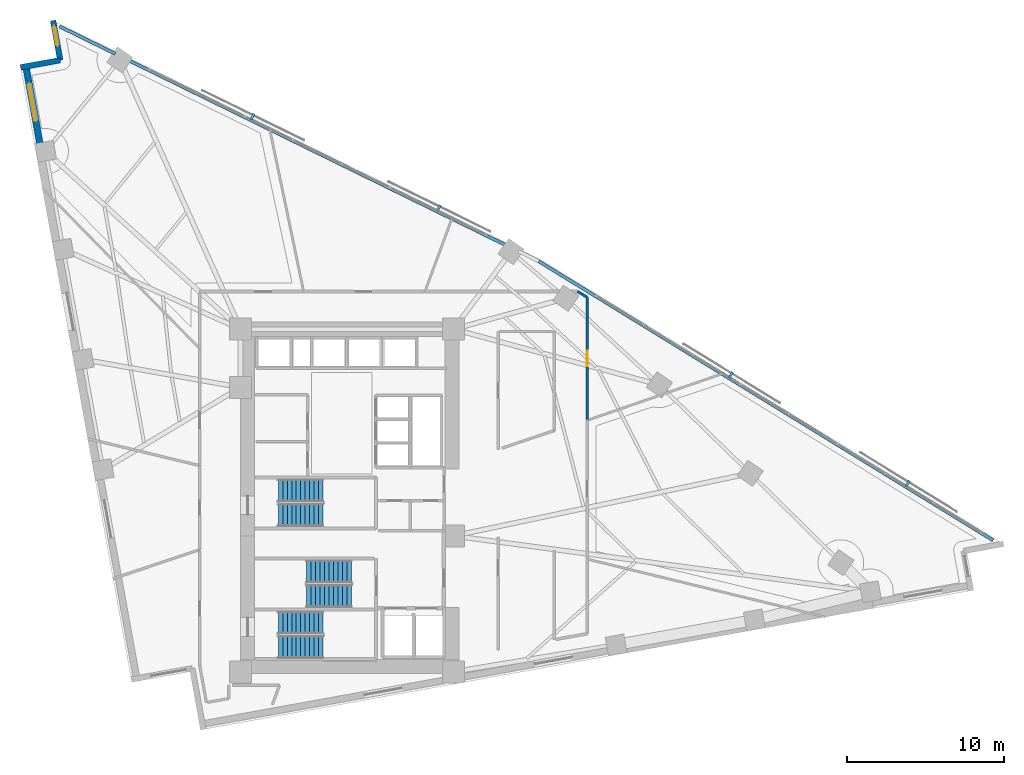
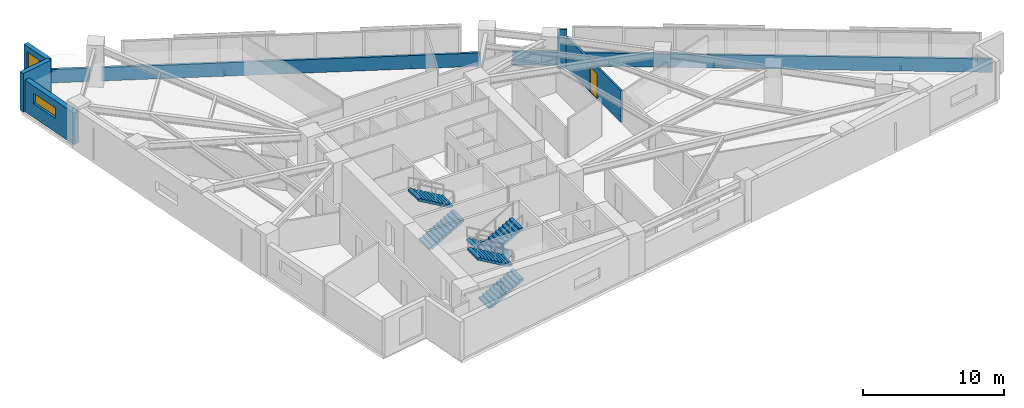
# One storey, part 16 of 18: 8 walls, 6 stair flights, 4 discrete accessories, 2 windows, 1 door, 3 openings, 3 elements without a shape of their own.
"""IFC4 building model written with IfcOpenShell, lengths in metres."""

from ifc_helpers import new_model, si_unit, direction, frame, frame_2d, origin, origin_2d, place, context, subcontext, project, spatial, polyline, rectangle, outline, extrude, material, layer, layer_set, type_object, element, fill, aggregate, save


model = new_model("IFC4")

# Units and contexts
model_context = context("Model", 3, precision=1e-05, world=origin(), true_north=direction((0.0, 1.0)))
body_context = subcontext(model_context, "Body", "Model", "MODEL_VIEW")
ifc_project = project(units=[si_unit("LENGTHUNIT", "METRE"), si_unit("AREAUNIT", "SQUARE_METRE"), si_unit("VOLUMEUNIT", "CUBIC_METRE"), si_unit("PLANEANGLEUNIT", "RADIAN"), si_unit("MASSUNIT", "GRAM", prefix="KILO")], contexts=[model_context])

# Site, building, storey
site_placement = place(None, origin())
site = spatial("IfcSite", under=ifc_project, at=site_placement, CompositionType="ELEMENT")
building_placement = place(site_placement, origin())
building = spatial("IfcBuilding", under=site, at=building_placement, Name="Narakoshi Arena Tower", CompositionType="ELEMENT")
storey_placement = place(building_placement, frame((0.0, 0.0, 99.300048828125)))
storey = spatial("IfcBuildingStorey", under=building, at=storey_placement, Name="L26", CompositionType="ELEMENT", Elevation=99.300048828125)

# Wall, opening, door
ifc_material_1 = material(Name="Gypsum plasterboard fire-rated partition")
ifc_layer_1 = layer(ifc_material_1, 0.1650390625)
ifc_layer_set_1 = layer_set([ifc_layer_1], Name="Gypsum plasterboard fire-rated partition")
wall_type_1 = type_object("IfcWallType", Name="WL-CORR-165", PredefinedType="PARTITIONING", material=ifc_layer_set_1)
wall_1_placement = place(storey_placement, frame((94.050048828125, 50.759765625, 0.0), z_axis=(0.0, 0.0, 1.0), x_axis=(0.0, 1.0, 0.0)))
wall_1 = element("IfcWall", 1, at=wall_1_placement, inside=storey, type_object=wall_type_1, Name="L26 Corridor Partition 06-2", PredefinedType="PARTITIONING", context=body_context, shape_type="SweptSolid", body=[
    extrude(rectangle(XDim=7.766845703125, YDim=0.1650390625, at=frame_2d((3.88330078125, 0.0))), origin(), (0.0, 0.0, 1.0), 2.724853515625),
])
opening_1_placement = place(wall_1_placement, frame((3.38330078125, 0.0, 0.0)))
opening_1 = element("IfcOpeningElement", 2, at=opening_1_placement, cuts=wall_1, Name="Opening D-06", PredefinedType="OPENING", context=body_context, shape_type="SweptSolid", body=[
    extrude(rectangle(XDim=1.0, YDim=2.199951171875, at=frame_2d((0.5, 1.10009765625))), frame((0.0, 0.092529296875, 0.0), z_axis=(0.0, -1.0, 0.0), x_axis=(1.0, 0.0, 0.0)), (0.0, 0.0, 1.0), 0.18505859375),
])
ifc_material_2 = material(Name="Stained oak solid-core timber", Category="wood")
door_type = type_object("IfcDoorType", Name="DR-OFF-1000", OperationType="NOTDEFINED", PredefinedType="DOOR", material=ifc_material_2)
door_placement = place(opening_1_placement, frame((1.0, 0.0, 0.0), z_axis=(0.0, 0.0, 1.0), x_axis=(-1.0, 0.0, 0.0)))
door = element("IfcDoor", 3, at=door_placement, inside=storey, type_object=door_type, Name="DR-L26-020", OperationType="SINGLE_SWING_LEFT", OverallHeight=2.199951171875, OverallWidth=1.0, PredefinedType="DOOR", context=body_context, shape_type="SweptSolid", body=[
    extrude(rectangle(XDim=1.0, YDim=2.199951171875, at=frame_2d((0.5, 1.10009765625))), frame((0.0, 0.02490234375, 0.0), z_axis=(0.0, -1.0, 0.0), x_axis=(1.0, 0.0, 0.0)), (0.0, 0.0, 1.0), 0.050048828125),
])
fill(opening_1, door)

# Walls
wall_2_placement = place(storey_placement, frame((94.050048828125, 58.526611328125, 0.0), z_axis=(0.0, 0.0, 1.0), x_axis=(-0.852256862618, 0.523123541928, 0.0)))
element("IfcWall", 4, at=wall_2_placement, inside=storey, type_object=wall_type_1, Name="L26 Corridor Partition 06-3", PredefinedType="PARTITIONING", context=body_context, shape_type="SweptSolid", body=[
    extrude(rectangle(XDim=0.713623046875, YDim=0.1650390625, at=frame_2d((0.35693359375, 0.0))), origin(), (0.0, 0.0, 1.0), 3.33984375),
])
ifc_material_3 = material(Name="Precast concrete C45/55", Category="concrete")
ifc_layer_2 = layer(ifc_material_3, 0.25)
ifc_layer_set_2 = layer_set([ifc_layer_2], Name="Precast concrete C45/55")
wall_type_2 = type_object("IfcWallType", Name="WL-PARA-250", PredefinedType="PARAPET", material=ifc_layer_set_2)
wall_3_placement = place(storey_placement, frame((119.86474609375, 43.0703125, 0.0), z_axis=(0.0, 0.0, 1.0), x_axis=(-0.852110824326, 0.52336138859, 0.0)))
element("IfcWall", 5, at=wall_3_placement, inside=storey, type_object=wall_type_2, Name="L26 Hypotenuse Sill Upstand Parapet 1-01", PredefinedType="PARAPET", context=body_context, shape_type="SweptSolid", body=[
    extrude(rectangle(XDim=33.931640625, YDim=0.199951171875, at=frame_2d((16.9658203125, 0.0))), origin(), (0.0, 0.0, 1.0), 1.14990234375),
])
wall_4_placement = place(storey_placement, frame((88.9208984375, 61.82275390625, 0.0), z_axis=(0.0, 0.0, 1.0), x_axis=(-0.897993533426, 0.440008652103, 0.0)))
element("IfcWall", 6, at=wall_4_placement, inside=storey, type_object=wall_type_2, Name="L26 Hypotenuse Sill Upstand Parapet 2-02", PredefinedType="PARAPET", context=body_context, shape_type="SweptSolid", body=[
    extrude(rectangle(XDim=26.86376953125, YDim=0.199951171875, at=frame_2d((13.431884765625, 0.0))), origin(), (0.0, 0.0, 1.0), 1.14990234375),
])
wall_5_placement = place(storey_placement, frame((64.031982421875, 74.01806640625, 0.0), z_axis=(0.0, 0.0, 1.0), x_axis=(-0.89799103332, 0.440013754417, 0.0)))
element("IfcWall", 7, at=wall_5_placement, inside=storey, type_object=wall_type_2, Name="L26 Hypotenuse Sill Upstand Parapet 2-03", PredefinedType="PARAPET", context=body_context, shape_type="SweptSolid", body=[
    extrude(rectangle(XDim=3.954833984375, YDim=0.199951171875, at=frame_2d((1.9775390625, 0.0))), origin(), (0.0, 0.0, 1.0), 1.14990234375),
])

# Wall, opening, window
ifc_layer_3 = layer(ifc_material_3, 0.419921875)
ifc_layer_set_3 = layer_set([ifc_layer_3], Name="Precast concrete C45/55")
wall_type_3 = type_object("IfcWallType", Name="WL-POD-420", PredefinedType="SOLIDWALL", material=ifc_layer_set_3)
wall_6_placement = place(storey_placement, frame((58.341796875, 73.2197265625, 0.0), z_axis=(0.0, 0.0, 1.0), x_axis=(0.177981837245, -0.984033772597, 0.0)))
wall_6 = element("IfcWall", 8, at=wall_6_placement, inside=storey, type_object=wall_type_3, Name="L26 Architectural Concrete Facade Wall LEGB-1", PredefinedType="SOLIDWALL", context=body_context, shape_type="SweptSolid", body=[
    extrude(rectangle(XDim=5.540283203125, YDim=0.419921875, at=frame_2d((2.77001953125, 0.0))), origin(), (0.0, 0.0, 1.0), 2.724853515625),
])
opening_2_placement = place(wall_6_placement, frame((1.11767578125, 0.0, 1.199951171875)))
opening_2 = element("IfcOpeningElement", 9, at=opening_2_placement, cuts=wall_6, Name="Opening WN-01", PredefinedType="OPENING", context=body_context, shape_type="SweptSolid", body=[
    extrude(rectangle(XDim=2.39990234375, YDim=0.89990234375, at=frame_2d((1.199951171875, 0.449951171875))), frame((0.0, 0.219970703125, 0.0), z_axis=(0.0, -1.0, 0.0), x_axis=(1.0, 0.0, 0.0)), (0.0, 0.0, 1.0), 0.43994140625),
])
ifc_material_4 = material(Name="Bronze-tinted low-E laminated glass", Category="glass")
window_type_1 = type_object("IfcWindowType", Name="WIN-SLT-24x09", PartitioningType="SINGLE_PANEL", PredefinedType="WINDOW", material=ifc_material_4)
window_1_placement = place(opening_2_placement, origin())
window_1 = element("IfcWindow", 10, at=window_1_placement, inside=storey, type_object=window_type_1, Name="L26 LEGB1 Horizontal Slot Window 1", OverallHeight=0.89990234375, OverallWidth=2.39990234375, PartitioningType="SINGLE_PANEL", PredefinedType="WINDOW", context=body_context, shape_type="SweptSolid", body=[
    extrude(rectangle(XDim=2.39990234375, YDim=0.89990234375, at=frame_2d((1.199951171875, 0.449951171875))), frame((0.0, 0.030029296875, 0.0), z_axis=(0.0, -1.0, 0.0), x_axis=(1.0, 0.0, 0.0)), (0.0, 0.0, 1.0), 0.06005859375),
])
fill(opening_2, window_1)

wall_7_placement = place(storey_placement, frame((60.066162109375, 76.139404296875, 0.0), z_axis=(0.0, 0.0, 1.0), x_axis=(0.177897493713, -0.984049024048, 0.0)))
wall_7 = element("IfcWall", 11, at=wall_7_placement, inside=storey, type_object=wall_type_3, Name="L26 Re-Entrant Corner Notch Wall NTN-1", PredefinedType="SOLIDWALL", context=body_context, shape_type="SweptSolid", body=[
    extrude(rectangle(XDim=2.56640625, YDim=0.360107421875, at=frame_2d((1.283203125, 0.0))), origin(), (0.0, 0.0, 1.0), 3.33984375),
])
opening_3_placement = place(wall_7_placement, frame((0.340087890625, 0.0, 0.449951171875)))
opening_3 = element("IfcOpeningElement", 12, at=opening_3_placement, cuts=wall_7, Name="Opening WN-06", PredefinedType="OPENING", context=body_context, shape_type="SweptSolid", body=[
    extrude(rectangle(XDim=1.300048828125, YDim=2.39990234375, at=frame_2d((0.64990234375, 1.199951171875))), frame((0.0, 0.18994140625, 0.0), z_axis=(0.0, -1.0, 0.0), x_axis=(1.0, 0.0, 0.0)), (0.0, 0.0, 1.0), 0.380126953125),
])
window_type_2 = type_object("IfcWindowType", Name="WIN-NTC-16x24", PartitioningType="SINGLE_PANEL", PredefinedType="WINDOW", material=ifc_material_4)
window_2_placement = place(opening_3_placement, origin())
window_2 = element("IfcWindow", 13, at=window_2_placement, inside=storey, type_object=window_type_2, Name="L26 Corner Notch Window NTN", OverallHeight=2.39990234375, OverallWidth=1.300048828125, PartitioningType="SINGLE_PANEL", PredefinedType="WINDOW", context=body_context, shape_type="SweptSolid", body=[
    extrude(rectangle(XDim=1.300048828125, YDim=2.39990234375, at=frame_2d((0.64990234375, 1.199951171875))), frame((0.0, 0.030029296875, 0.0), z_axis=(0.0, -1.0, 0.0), x_axis=(1.0, 0.0, 0.0)), (0.0, 0.0, 1.0), 0.06005859375),
])
fill(opening_3, window_2)

# Wall
wall_8_placement = place(storey_placement, frame((60.522705078125, 73.614013671875, 0.0), z_axis=(0.0, 0.0, 1.0), x_axis=(-0.984046012923, -0.177914149102, 0.0)))
element("IfcWall", 14, at=wall_8_placement, inside=storey, type_object=wall_type_3, Name="L26 Re-Entrant Corner Notch Wall NTN-2", PredefinedType="SOLIDWALL", context=body_context, shape_type="SweptSolid", body=[
    extrude(rectangle(XDim=2.566162109375, YDim=0.360107421875, at=frame_2d((1.283203125, 0.0))), origin(), (0.0, 0.0, 1.0), 3.33984375),
])

# Stair, stair flights
ifc_material_5 = material(Name="Concrete C45/55", Category="concrete")
stair_type = type_object("IfcStairType", Name="STR-CORE-360", PredefinedType="TWO_STRAIGHT_RUN_STAIR", material=ifc_material_5)
stair_1_placement = place(storey_placement, origin())
stair_1 = element("IfcStair", 15, at=stair_1_placement, inside=storey, type_object=stair_type, Name="L26 Core Escape Stair ST1", PredefinedType="TWO_STRAIGHT_RUN_STAIR")
stair_flight_type = type_object("IfcStairFlightType", Name="FLT-145-160", PredefinedType="STRAIGHT", material=ifc_material_3)
stair_flight_1_placement = place(storey_placement, frame((74.39990234375, 36.27490234375, 0.0), z_axis=(0.0, 0.0, 1.0), x_axis=(1.0, 0.0, 0.0)))
stair_flight_1 = element("IfcStairFlight", 16, at=stair_flight_1_placement, type_object=stair_flight_type, Name="ST1 flight 1", NumberOfRisers=11, NumberOfTreads=10, PredefinedType="STRAIGHT", RiserHeight=0.163636364, TreadLength=0.285, context=body_context, shape_type="SweptSolid", body=[
    extrude(outline(polyline([(0.0, 0.0), (0.0, 0.16357421875), (0.284912109375, 0.16357421875), (0.284912109375, 0.327392578125), (0.570068359375, 0.327392578125), (0.570068359375, 0.490966796875), (0.85498046875, 0.490966796875), (0.85498046875, 0.654541015625), (1.139892578125, 0.654541015625), (1.139892578125, 0.818115234375), (1.425048828125, 0.818115234375), (1.425048828125, 0.98193359375), (1.7099609375, 0.98193359375), (1.7099609375, 1.1455078125), (1.9951171875, 1.1455078125), (1.9951171875, 1.30908203125), (2.280029296875, 1.30908203125), (2.280029296875, 1.47265625), (2.56494140625, 1.47265625), (2.56494140625, 1.636474609375), (2.85009765625, 1.636474609375), (2.85009765625, 1.800048828125), (2.85009765625, 1.463623046875), (0.301025390625, 0.0), (0.0, 0.0)])), frame((0.0, 0.72509765625, 0.0), z_axis=(0.0, -1.0, 0.0), x_axis=(1.0, 0.0, 0.0)), (0.0, 0.0, 1.0), 1.449951171875),
])
stair_flight_2_placement = place(storey_placement, frame((77.25, 37.824951171875, 1.800048828125), z_axis=(0.0, 0.0, 1.0), x_axis=(-1.0, 0.0, 0.0)))
stair_flight_2 = element("IfcStairFlight", 17, at=stair_flight_2_placement, type_object=stair_flight_type, Name="ST1 flight 2", NumberOfRisers=11, NumberOfTreads=10, PredefinedType="STRAIGHT", RiserHeight=0.163636364, TreadLength=0.285, context=body_context, shape_type="SweptSolid", body=[
    extrude(outline(polyline([(0.0, 0.0), (0.0, 0.16357421875), (0.284912109375, 0.16357421875), (0.284912109375, 0.327392578125), (0.570068359375, 0.327392578125), (0.570068359375, 0.490966796875), (0.85498046875, 0.490966796875), (0.85498046875, 0.654541015625), (1.139892578125, 0.654541015625), (1.139892578125, 0.818115234375), (1.425048828125, 0.818115234375), (1.425048828125, 0.98193359375), (1.7099609375, 0.98193359375), (1.7099609375, 1.1455078125), (1.9951171875, 1.1455078125), (1.9951171875, 1.30908203125), (2.280029296875, 1.30908203125), (2.280029296875, 1.47265625), (2.56494140625, 1.47265625), (2.56494140625, 1.636474609375), (2.85009765625, 1.636474609375), (2.85009765625, 1.800048828125), (2.85009765625, 1.463623046875), (0.301025390625, 0.0), (0.0, 0.0)])), frame((0.0, 0.72509765625, 0.0), z_axis=(0.0, -1.0, 0.0), x_axis=(1.0, 0.0, 0.0)), (0.0, 0.0, 1.0), 1.449951171875),
])
aggregate(stair_1, [stair_flight_1, stair_flight_2])

stair_2_placement = place(storey_placement, origin())
stair_2 = element("IfcStair", 18, at=stair_2_placement, inside=storey, type_object=stair_type, Name="L26 Core Escape Stair ST2", PredefinedType="TWO_STRAIGHT_RUN_STAIR")
stair_flight_3_placement = place(storey_placement, frame((79.050048828125, 41.074951171875, 0.0), z_axis=(0.0, 0.0, 1.0), x_axis=(-1.0, 0.0, 0.0)))
stair_flight_3 = element("IfcStairFlight", 19, at=stair_flight_3_placement, type_object=stair_flight_type, Name="ST2 flight 1", NumberOfRisers=11, NumberOfTreads=10, PredefinedType="STRAIGHT", RiserHeight=0.163636364, TreadLength=0.285, context=body_context, shape_type="SweptSolid", body=[
    extrude(outline(polyline([(0.0, 0.0), (0.0, 0.16357421875), (0.284912109375, 0.16357421875), (0.284912109375, 0.327392578125), (0.570068359375, 0.327392578125), (0.570068359375, 0.490966796875), (0.85498046875, 0.490966796875), (0.85498046875, 0.654541015625), (1.139892578125, 0.654541015625), (1.139892578125, 0.818115234375), (1.425048828125, 0.818115234375), (1.425048828125, 0.98193359375), (1.7099609375, 0.98193359375), (1.7099609375, 1.1455078125), (1.9951171875, 1.1455078125), (1.9951171875, 1.30908203125), (2.280029296875, 1.30908203125), (2.280029296875, 1.47265625), (2.56494140625, 1.47265625), (2.56494140625, 1.636474609375), (2.85009765625, 1.636474609375), (2.85009765625, 1.800048828125), (2.85009765625, 1.463623046875), (0.301025390625, 0.0), (0.0, 0.0)])), frame((0.0, 0.72509765625, 0.0), z_axis=(0.0, -1.0, 0.0), x_axis=(1.0, 0.0, 0.0)), (0.0, 0.0, 1.0), 1.449951171875),
])
stair_flight_4_placement = place(storey_placement, frame((76.199951171875, 39.52490234375, 1.800048828125), z_axis=(0.0, 0.0, 1.0), x_axis=(1.0, 0.0, 0.0)))
stair_flight_4 = element("IfcStairFlight", 20, at=stair_flight_4_placement, type_object=stair_flight_type, Name="ST2 flight 2", NumberOfRisers=11, NumberOfTreads=10, PredefinedType="STRAIGHT", RiserHeight=0.163636364, TreadLength=0.285, context=body_context, shape_type="SweptSolid", body=[
    extrude(outline(polyline([(0.0, 0.0), (0.0, 0.16357421875), (0.284912109375, 0.16357421875), (0.284912109375, 0.327392578125), (0.570068359375, 0.327392578125), (0.570068359375, 0.490966796875), (0.85498046875, 0.490966796875), (0.85498046875, 0.654541015625), (1.139892578125, 0.654541015625), (1.139892578125, 0.818115234375), (1.425048828125, 0.818115234375), (1.425048828125, 0.98193359375), (1.7099609375, 0.98193359375), (1.7099609375, 1.1455078125), (1.9951171875, 1.1455078125), (1.9951171875, 1.30908203125), (2.280029296875, 1.30908203125), (2.280029296875, 1.47265625), (2.56494140625, 1.47265625), (2.56494140625, 1.636474609375), (2.85009765625, 1.636474609375), (2.85009765625, 1.800048828125), (2.85009765625, 1.463623046875), (0.301025390625, 0.0), (0.0, 0.0)])), frame((0.0, 0.72509765625, 0.0), z_axis=(0.0, -1.0, 0.0), x_axis=(1.0, 0.0, 0.0)), (0.0, 0.0, 1.0), 1.449951171875),
])
aggregate(stair_2, [stair_flight_3, stair_flight_4])

stair_3_placement = place(storey_placement, origin())
stair_3 = element("IfcStair", 21, at=stair_3_placement, inside=storey, type_object=stair_type, Name="L26 Core Escape Stair ST3", PredefinedType="TWO_STRAIGHT_RUN_STAIR")
stair_flight_5_placement = place(storey_placement, frame((74.39990234375, 44.675048828125, 0.0), z_axis=(0.0, 0.0, 1.0), x_axis=(1.0, 0.0, 0.0)))
stair_flight_5 = element("IfcStairFlight", 22, at=stair_flight_5_placement, type_object=stair_flight_type, Name="ST3 flight 1", NumberOfRisers=11, NumberOfTreads=10, PredefinedType="STRAIGHT", RiserHeight=0.163636364, TreadLength=0.285, context=body_context, shape_type="SweptSolid", body=[
    extrude(outline(polyline([(0.0, 0.0), (0.0, 0.16357421875), (0.284912109375, 0.16357421875), (0.284912109375, 0.327392578125), (0.570068359375, 0.327392578125), (0.570068359375, 0.490966796875), (0.85498046875, 0.490966796875), (0.85498046875, 0.654541015625), (1.139892578125, 0.654541015625), (1.139892578125, 0.818115234375), (1.425048828125, 0.818115234375), (1.425048828125, 0.98193359375), (1.7099609375, 0.98193359375), (1.7099609375, 1.1455078125), (1.9951171875, 1.1455078125), (1.9951171875, 1.30908203125), (2.280029296875, 1.30908203125), (2.280029296875, 1.47265625), (2.56494140625, 1.47265625), (2.56494140625, 1.636474609375), (2.85009765625, 1.636474609375), (2.85009765625, 1.800048828125), (2.85009765625, 1.463623046875), (0.301025390625, 0.0), (0.0, 0.0)])), frame((0.0, 0.72509765625, 0.0), z_axis=(0.0, -1.0, 0.0), x_axis=(1.0, 0.0, 0.0)), (0.0, 0.0, 1.0), 1.449951171875),
])
stair_flight_6_placement = place(storey_placement, frame((77.25, 46.22509765625, 1.800048828125), z_axis=(0.0, 0.0, 1.0), x_axis=(-1.0, 0.0, 0.0)))
stair_flight_6 = element("IfcStairFlight", 23, at=stair_flight_6_placement, type_object=stair_flight_type, Name="ST3 flight 2", NumberOfRisers=11, NumberOfTreads=10, PredefinedType="STRAIGHT", RiserHeight=0.163636364, TreadLength=0.285, context=body_context, shape_type="SweptSolid", body=[
    extrude(outline(polyline([(0.0, 0.0), (0.0, 0.16357421875), (0.284912109375, 0.16357421875), (0.284912109375, 0.327392578125), (0.570068359375, 0.327392578125), (0.570068359375, 0.490966796875), (0.85498046875, 0.490966796875), (0.85498046875, 0.654541015625), (1.139892578125, 0.654541015625), (1.139892578125, 0.818115234375), (1.425048828125, 0.818115234375), (1.425048828125, 0.98193359375), (1.7099609375, 0.98193359375), (1.7099609375, 1.1455078125), (1.9951171875, 1.1455078125), (1.9951171875, 1.30908203125), (2.280029296875, 1.30908203125), (2.280029296875, 1.47265625), (2.56494140625, 1.47265625), (2.56494140625, 1.636474609375), (2.85009765625, 1.636474609375), (2.85009765625, 1.800048828125), (2.85009765625, 1.463623046875), (0.301025390625, 0.0), (0.0, 0.0)])), frame((0.0, 0.72509765625, 0.0), z_axis=(0.0, -1.0, 0.0), x_axis=(1.0, 0.0, 0.0)), (0.0, 0.0, 1.0), 1.449951171875),
])
aggregate(stair_3, [stair_flight_5, stair_flight_6])

# Discrete accessories
ifc_material_6 = material(Name="Structural steel S355J2", Category="steel")
discrete_accessory_type = type_object("IfcDiscreteAccessoryType", Name="ACC-BRK-SCR", PredefinedType="BRACKET", material=ifc_material_6)
for number, where, z_axis, x_axis, name in (
    (24, (114.442138671875, 46.6826171875, -0.080078125), (0.0, 0.0, 1.0), (-0.852110807003, 0.523361416794, 0.0), "L26 Solar Screen Support Bracket SHD-L26-SCR1-1"),
    (25, (103.1943359375, 53.5908203125, -0.080078125), (0.0, 0.0, 1.0), (-0.852110807003, 0.523361416794, 0.0), "L26 Solar Screen Support Bracket SHD-L26-SCR1-2"),
    (26, (84.6044921875, 64.205078125, -0.080078125), (0.0, 0.0, 1.0), (-0.897996860024, 0.440001862936, 0.0), "L26 Solar Screen Support Bracket SHD-L26-SCR2-1"),
    (27, (72.7509765625, 70.01318359375, -0.080078125), (0.0, 0.0, 1.0), (-0.897996860024, 0.440001862936, 0.0), "L26 Solar Screen Support Bracket SHD-L26-SCR2-2"),
):
    element("IfcDiscreteAccessory", number, at=place(storey_placement, frame(where, z_axis=z_axis, x_axis=x_axis)), inside=storey, type_object=discrete_accessory_type, Name=name, PredefinedType="BRACKET", context=body_context, shape_type="SweptSolid", body=[
        extrude(rectangle(XDim=0.159912109375, YDim=0.425048828125, at=origin_2d()), origin(), (0.0, 0.0, 1.0), 0.199951171875),
    ])

save(model, "model.ifc")
